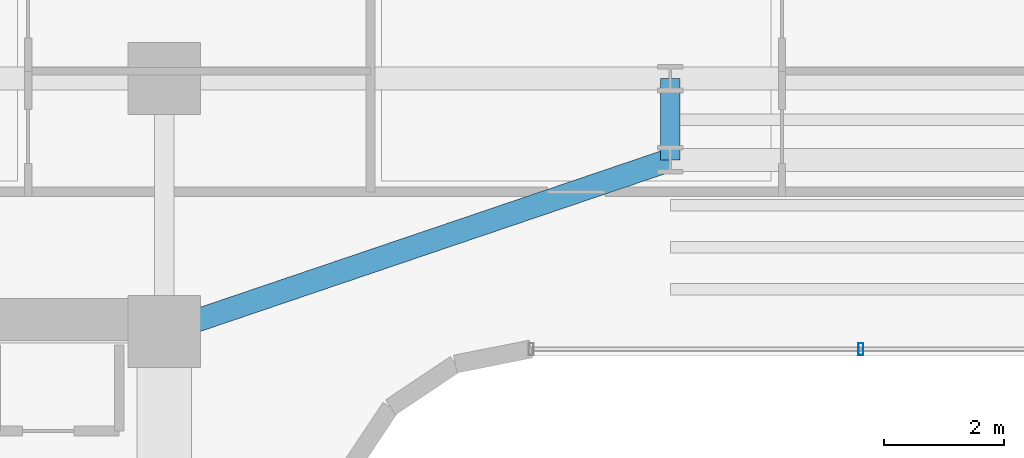
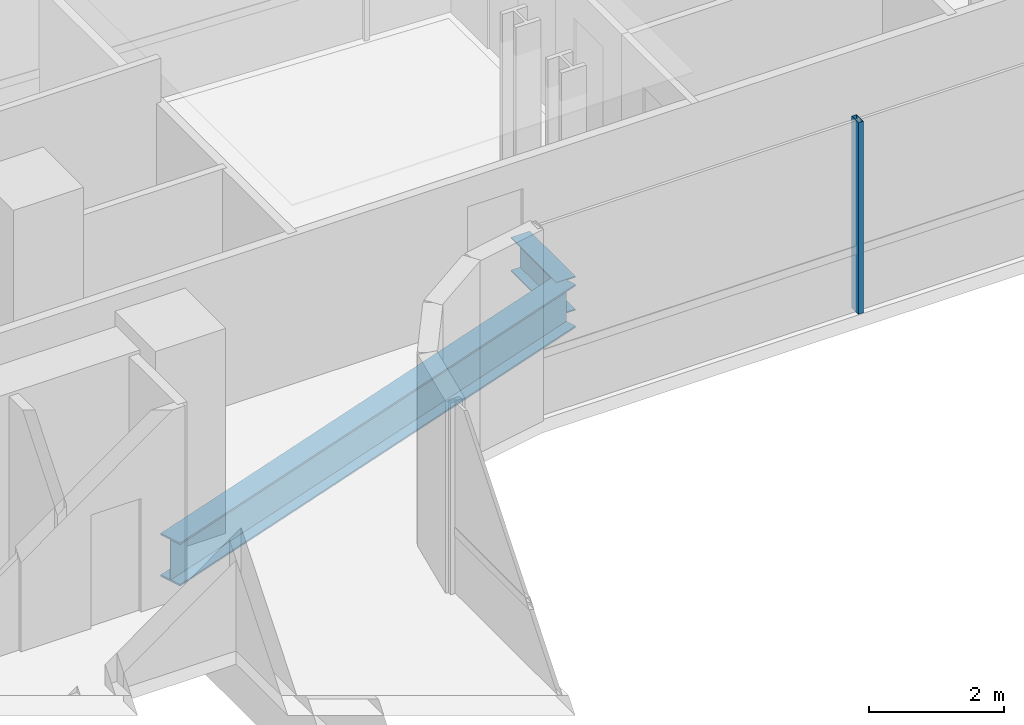
# One storey, part 12 of 38: 2 beams, 1 member, 1 element without a shape of its own.
"""IFC4 building model written with IfcOpenShell, lengths in metres."""

from ifc_helpers import new_model, si_unit, direction, frame, origin, origin_2d, place, context, subcontext, project, spatial, hollow_rectangle, i_section, extrude, source, transform, mapped, material, material_profile, profile_set, type_object, element, aggregate, save


model = new_model("IFC4")

# Units and contexts
model_context = context("Model", 3, precision=1e-05, world=origin(), true_north=direction((0.0, 1.0)))
body_context = subcontext(model_context, "Body", "Model", "MODEL_VIEW")
ifc_project = project(units=[si_unit("LENGTHUNIT", "METRE"), si_unit("AREAUNIT", "SQUARE_METRE"), si_unit("VOLUMEUNIT", "CUBIC_METRE"), si_unit("PLANEANGLEUNIT", "RADIAN"), si_unit("MASSUNIT", "GRAM", prefix="KILO")], contexts=[model_context])

# Site, building, storey
site_placement = place(None, origin())
site = spatial("IfcSite", under=ifc_project, at=site_placement, CompositionType="ELEMENT")
building_placement = place(site_placement, origin())
building = spatial("IfcBuilding", under=site, at=building_placement, Name="Valdorenza Pilgrim Sanctuary Tower", CompositionType="ELEMENT")
storey_placement = place(building_placement, frame((0.0, 0.0, 131.60009765625)))
storey = spatial("IfcBuildingStorey", under=building, at=storey_placement, Name="L33", CompositionType="ELEMENT", Elevation=131.60009765625)

# Beams
ifc_material_1 = material(Name="Steel ASTM A992 Grade 50", Category="steel")
ifc_material_profile_1 = material_profile(ifc_material_1, i_section(OverallWidth=0.323974609375, OverallDepth=0.611083984375, WebThickness=0.0126953125, FlangeThickness=0.01904296875, at=origin_2d()), Name="W24X104")
ifc_profile_set_1 = profile_set([ifc_material_profile_1], Name="Steel ASTM A992 Grade 50")
beam_type_1 = type_object("IfcBeamType", Name="STR-BM-GRD-W24B", PredefinedType="BEAM", material=ifc_profile_set_1)
shared_shape_1 = source(origin(), body_context, "Body", "SweptSolid", [
    extrude(i_section(OverallWidth=0.323974609375, OverallDepth=0.611083984375, WebThickness=0.0126953125, FlangeThickness=0.01904296875, at=origin_2d()), origin(), (0.0, 0.0, 1.0), 1.35009765625),
])
beam_1_placement = place(storey_placement, frame((-4.0, 13.449951171875, -0.545654296875), z_axis=(0.0, 1.0, 0.0), x_axis=(-1.0, 0.0, 0.0)))
element("IfcBeam", 1, at=beam_1_placement, inside=storey, type_object=beam_type_1, Name="L33 Floor Girder KNK-TIE-W", PredefinedType="BEAM", context=body_context, shape_type="MappedRepresentation", body=[
    mapped(shared_shape_1, transform((0.0, 0.0, 0.0), x_axis=(1.0, 0.0, 0.0), y_axis=(0.0, 1.0, 0.0), z_axis=(0.0, 0.0, 1.0), scale=1.0)),
])
ifc_material_profile_2 = material_profile(ifc_material_1, i_section(OverallWidth=0.382080078125, OverallDepth=0.779052734375, WebThickness=0.01806640625, FlangeThickness=0.030029296875, at=origin_2d()), Name="W30X191")
ifc_profile_set_2 = profile_set([ifc_material_profile_2], Name="Steel ASTM A992 Grade 50")
beam_type_2 = type_object("IfcBeamType", Name="STR-BM-GRD-W30", PredefinedType="BEAM", material=ifc_profile_set_2)
shared_shape_2 = source(origin(), body_context, "Body", "SweptSolid", [
    extrude(i_section(OverallWidth=0.382080078125, OverallDepth=0.779052734375, WebThickness=0.01806640625, FlangeThickness=0.030029296875, at=origin_2d()), origin(), (0.0, 0.0, 1.0), 8.8701171875),
])
beam_2_placement = place(storey_placement, frame((-12.39990234375, 10.60009765625, -0.629638671875), z_axis=(0.946982588361, 0.321284885018, 0.0), x_axis=(-0.321284885018, 0.946982588361, 0.0)))
element("IfcBeam", 2, at=beam_2_placement, inside=storey, type_object=beam_type_2, Name="L33 Floor Girder KNK-G1", PredefinedType="BEAM", context=body_context, shape_type="MappedRepresentation", body=[
    mapped(shared_shape_2, transform((0.0, 0.0, 0.0), x_axis=(1.0, 0.0, 0.0), y_axis=(0.0, 1.0, 0.0), z_axis=(0.0, 0.0, 1.0), scale=1.0)),
])

# Curtain wall, member
ifc_material_2 = material(Name="Curtain-wall IGU glazing", Category="glass")
curtain_wall_type = type_object("IfcCurtainWallType", Name="CW-SYS-02", PredefinedType="NOTDEFINED", material=ifc_material_2)
curtain_wall_placement = place(storey_placement, origin())
curtain_wall = element("IfcCurtainWall", 3, at=curtain_wall_placement, inside=storey, type_object=curtain_wall_type, Name="L33 Curtain Wall CW-L33-1-36", PredefinedType="NOTDEFINED")
ifc_material_3 = material(Name="Anodised aluminium AW-6060", Category="aluminium")
ifc_material_profile_3 = material_profile(ifc_material_3, hollow_rectangle(XDim=0.0849609375, YDim=0.199951171875, WallThickness=0.0048828125, at=origin_2d()), Name="ALU-M 200x85x5")
ifc_profile_set_3 = profile_set([ifc_material_profile_3], Name="Anodised aluminium AW-6060")
member_type = type_object("IfcMemberType", Name="CW-MUL-02", PredefinedType="MULLION", material=ifc_profile_set_3)
shared_shape_3 = source(origin(), body_context, "Body", "SweptSolid", [
    extrude(hollow_rectangle(XDim=0.0849609375, YDim=0.199951171875, WallThickness=0.0048828125, at=origin_2d()), origin(), (0.0, 0.0, 1.0), 3.4599609375),
])
member_placement = place(storey_placement, frame((-0.8369140625, 10.31005859375, 0.0), z_axis=(0.0, 0.0, 1.0), x_axis=(-1.0, 0.0, 0.0)))
member = element("IfcMember", 4, at=member_placement, type_object=member_type, Name="CW-L33-1-36 Mullion 3", PredefinedType="MULLION", context=body_context, shape_type="MappedRepresentation", body=[
    mapped(shared_shape_3, transform((0.0, 0.0, 0.0), x_axis=(1.0, 0.0, 0.0), y_axis=(0.0, 1.0, 0.0), z_axis=(0.0, 0.0, 1.0), scale=1.0)),
])
aggregate(curtain_wall, [member])

save(model, "model.ifc")
